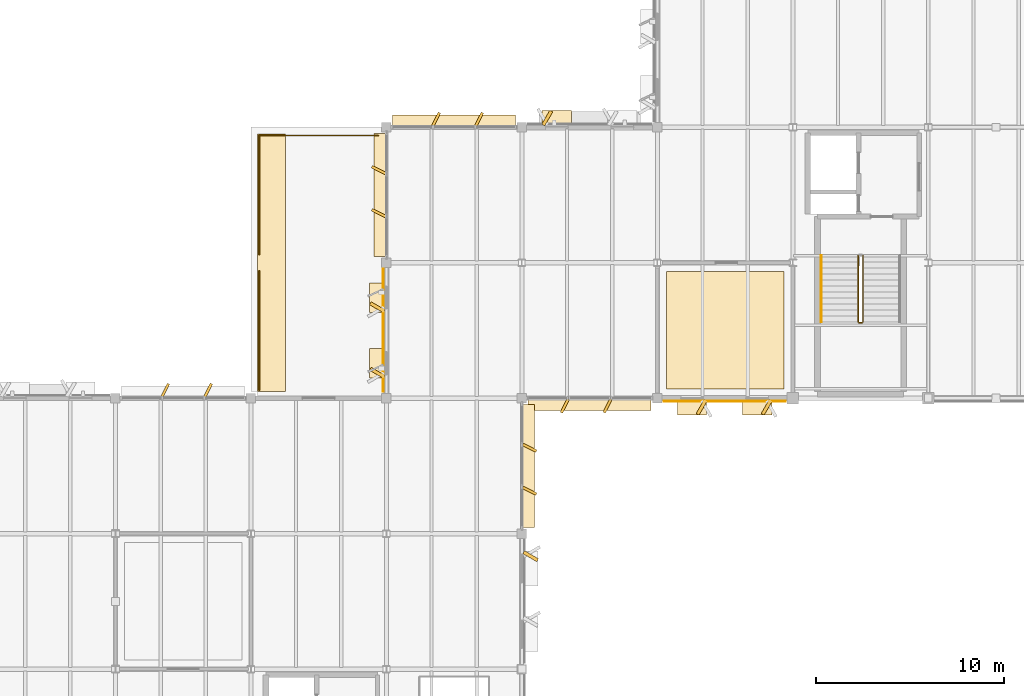
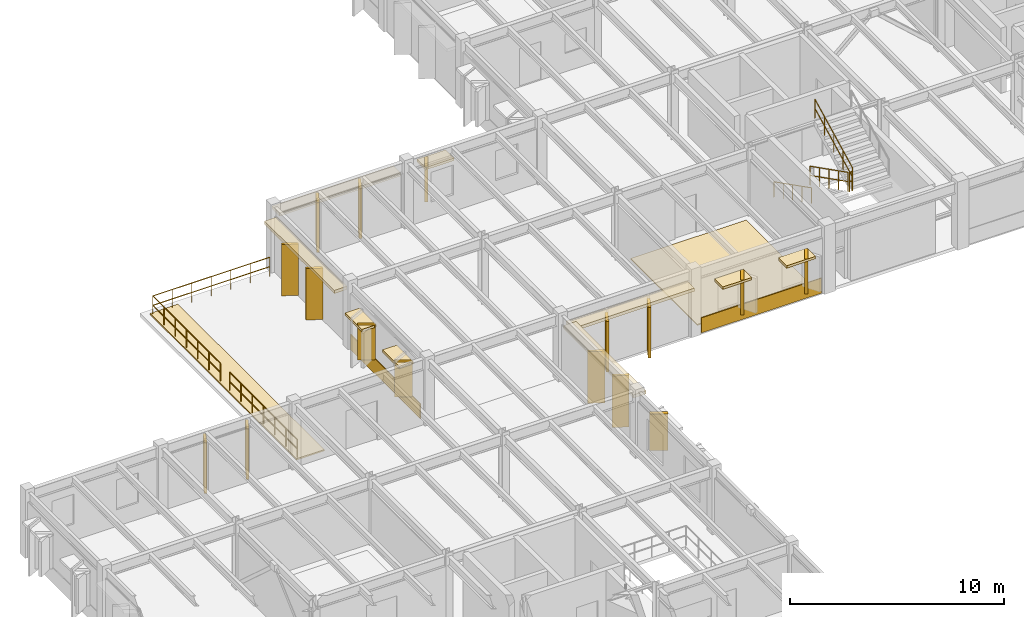
# One storey, part 77 of 82: 29 coverings, 7 railings.
"""IFC4 building model written with IfcOpenShell, lengths in metres."""

from ifc_helpers import new_model, si_unit, direction, frame, frame_2d, origin, origin_2d, place, context, subcontext, project, spatial, polyline, rectangle, circle, outline, extrude, material, layer, layer_set, type_object, element, save


model = new_model("IFC4")

# Units and contexts
model_context = context("Model", 3, precision=1e-05, world=origin(), true_north=direction((0.0, 1.0)))
body_context = subcontext(model_context, "Body", "Model", "MODEL_VIEW")
ifc_project = project(units=[si_unit("LENGTHUNIT", "METRE"), si_unit("AREAUNIT", "SQUARE_METRE"), si_unit("VOLUMEUNIT", "CUBIC_METRE"), si_unit("PLANEANGLEUNIT", "RADIAN"), si_unit("MASSUNIT", "GRAM", prefix="KILO")], contexts=[model_context])

# Site, building, storey
site_placement = place(None, origin())
site = spatial("IfcSite", under=ifc_project, at=site_placement, CompositionType="ELEMENT")
building_placement = place(site_placement, origin())
building = spatial("IfcBuilding", under=site, at=building_placement, Name="Sillqori Civic Hall", CompositionType="ELEMENT")
storey_placement = place(building_placement, frame((0.0, 0.0, 14.10009765625)))
storey = spatial("IfcBuildingStorey", under=building, at=storey_placement, Name="L04", CompositionType="ELEMENT", Elevation=14.10009765625)

# Coverings
ifc_material_1 = material(Name="Cochabamba Honed Limestone Cladding", Category="masonry")
ifc_layer_1 = layer(ifc_material_1, 0.044921875)
ifc_layer_set_1 = layer_set([ifc_layer_1], Name="Cochabamba Honed Limestone Cladding")
covering_type_1 = type_object("IfcCoveringType", Name="COV-CLAD-LIME", PredefinedType="CLADDING", material=ifc_layer_set_1)
for number, where, z_axis, x_axis, name in (
    (1, (16.861083984375, 79.25, 0.059814453125), (0.0, 0.0, 1.0), (0.44709226377, 0.894487846579, 0.0), "L04 curtain-wall angled stone fin L04-02-10-N.1"),
    (2, (19.138916015625, 79.25, 0.059814453125), (0.0, 0.0, 1.0), (0.447334902547, 0.894366527193, 0.0), "L04 curtain-wall angled stone fin L04-02-10-N.2"),
):
    element("IfcCovering", number, at=place(storey_placement, frame(where, z_axis=z_axis, x_axis=x_axis)), inside=storey, type_object=covering_type_1, Name=name, PredefinedType="CLADDING", context=body_context, shape_type="SweptSolid", body=[
        extrude(rectangle(XDim=0.804931640625, YDim=0.139892578125, at=frame_2d((0.40234375, 0.0))), origin(), (0.0, 0.0, 1.0), 2.878173828125),
    ])
covering_1_placement = place(storey_placement, frame((36.10009765625, 71.011962890625, 0.829833984375), z_axis=(0.0, 0.0, 1.0), x_axis=(0.865989465428, -0.500062241894, 0.0)))
element("IfcCovering", 3, at=covering_1_placement, inside=storey, type_object=covering_type_1, Name="Sawtooth limestone angled reveal cheek L04-04-09-E.1", PredefinedType="CLADDING", context=body_context, shape_type="SweptSolid", body=[
    extrude(rectangle(XDim=0.85009765625, YDim=0.179931640625, at=frame_2d((0.425048828125, 0.0))), origin(), (0.0, 0.0, 1.0), 2.10009765625),
])
covering_2_placement = place(storey_placement, frame((36.320068359375, 78.8701171875, 3.011962890625), z_axis=(0.0, 0.0, 1.0), x_axis=(0.0, -1.0, 0.0)))
element("IfcCovering", 4, at=covering_2_placement, inside=storey, type_object=covering_type_1, Name="L04 curtain-wall limestone solar hood L04-04-10-E", PredefinedType="CLADDING", context=body_context, shape_type="SweptSolid", body=[
    extrude(rectangle(XDim=6.5400390625, YDim=0.679931640625, at=frame_2d((3.27001953125, 0.0))), origin(), (0.0, 0.0, 1.0), 0.179931640625),
])
for number, where, z_axis, x_axis, name in (
    (5, (36.050048828125, 76.739013671875, 0.059814453125), (0.0, 0.0, 1.0), (0.894366527193, -0.447334902547, 0.0), "L04 curtain-wall angled stone fin L04-04-10-E.1"),
    (6, (36.050048828125, 74.4609375, 0.059814453125), (0.0, 0.0, 1.0), (0.894487846579, -0.44709226377, 0.0), "L04 curtain-wall angled stone fin L04-04-10-E.2"),
):
    element("IfcCovering", number, at=place(storey_placement, frame(where, z_axis=z_axis, x_axis=x_axis)), inside=storey, type_object=covering_type_1, Name=name, PredefinedType="CLADDING", context=body_context, shape_type="SweptSolid", body=[
        extrude(rectangle(XDim=0.804931640625, YDim=0.139892578125, at=frame_2d((0.40234375, 0.0))), origin(), (0.0, 0.0, 1.0), 2.9521484375),
    ])
covering_3_placement = place(storey_placement, frame((28.639892578125, 79.530029296875, 0.039794921875), z_axis=(0.0, 0.0, 1.0), x_axis=(0.0, 1.0, 0.0)))
element("IfcCovering", 7, at=covering_3_placement, inside=storey, type_object=covering_type_1, Name="L04 limestone spandrel cladding L04-04-11-W", PredefinedType="CLADDING", context=body_context, shape_type="SweptSolid", body=[
    extrude(rectangle(XDim=6.5400390625, YDim=0.044921875, at=frame_2d((3.27001953125, 0.0))), origin(), (0.0, 0.0, 1.0), 0.860107421875),
])
covering_4_placement = place(storey_placement, frame((28.679931640625, 80.337890625, 0.829833984375), z_axis=(0.0, 0.0, 1.0), x_axis=(-0.865989465428, 0.500062241894, 0.0)))
element("IfcCovering", 8, at=covering_4_placement, inside=storey, type_object=covering_type_1, Name="Sawtooth limestone angled reveal cheek L04-04-11-W.1", PredefinedType="CLADDING", context=body_context, shape_type="SweptSolid", body=[
    extrude(rectangle(XDim=0.85009765625, YDim=0.179931640625, at=frame_2d((0.425048828125, 0.0))), origin(), (0.0, 0.0, 1.0), 2.0),
])
covering_5_placement = place(storey_placement, frame((28.300048828125, 80.278076171875, 2.68994140625), z_axis=(0.0, 0.0, 1.0), x_axis=(0.0, 1.0, 0.0)))
element("IfcCovering", 9, at=covering_5_placement, inside=storey, type_object=covering_type_1, Name="Sawtooth limestone window hood L04-04-11-W.1", PredefinedType="CLADDING", context=body_context, shape_type="SweptSolid", body=[
    extrude(rectangle(XDim=1.559814453125, YDim=0.780029296875, at=frame_2d((0.77978515625, 0.0))), origin(), (0.0, 0.0, 1.0), 0.139892578125),
])
covering_6_placement = place(storey_placement, frame((28.679931640625, 83.822021484375, 0.829833984375), z_axis=(0.0, 0.0, 1.0), x_axis=(-0.865989465428, 0.500062241894, 0.0)))
element("IfcCovering", 10, at=covering_6_placement, inside=storey, type_object=covering_type_1, Name="Sawtooth limestone angled reveal cheek L04-04-11-W.2", PredefinedType="CLADDING", context=body_context, shape_type="SweptSolid", body=[
    extrude(rectangle(XDim=0.85009765625, YDim=0.179931640625, at=frame_2d((0.425048828125, 0.0))), origin(), (0.0, 0.0, 1.0), 2.0),
])
covering_7_placement = place(storey_placement, frame((28.300048828125, 83.761962890625, 2.68994140625), z_axis=(0.0, 0.0, 1.0), x_axis=(0.0, 1.0, 0.0)))
element("IfcCovering", 11, at=covering_7_placement, inside=storey, type_object=covering_type_1, Name="Sawtooth limestone window hood L04-04-11-W.2", PredefinedType="CLADDING", context=body_context, shape_type="SweptSolid", body=[
    extrude(rectangle(XDim=1.56005859375, YDim=0.780029296875, at=frame_2d((0.780029296875, 0.0))), origin(), (0.0, 0.0, 1.0), 0.139892578125),
])
covering_8_placement = place(storey_placement, frame((29.1298828125, 93.919921875, 2.91796875), z_axis=(0.0, 0.0, 1.0), x_axis=(1.0, 0.0, 0.0)))
element("IfcCovering", 12, at=covering_8_placement, inside=storey, type_object=covering_type_1, Name="L04 curtain-wall limestone solar hood L04-04-12-N", PredefinedType="CLADDING", context=body_context, shape_type="SweptSolid", body=[
    extrude(rectangle(XDim=6.5400390625, YDim=0.679931640625, at=frame_2d((3.27001953125, 0.0))), origin(), (0.0, 0.0, 1.0), 0.179931640625),
])
for number, where, z_axis, x_axis, name in (
    (13, (31.260986328125, 93.64990234375, 0.059814453125), (0.0, 0.0, 1.0), (0.4472135955, 0.894427191, 0.0), "L04 curtain-wall angled stone fin L04-04-12-N.1"),
    (14, (33.5390625, 93.64990234375, 0.059814453125), (0.0, 0.0, 1.0), (0.44697098964, 0.894548452807, 0.0), "L04 curtain-wall angled stone fin L04-04-12-N.2"),
):
    element("IfcCovering", number, at=place(storey_placement, frame(where, z_axis=z_axis, x_axis=x_axis)), inside=storey, type_object=covering_type_1, Name=name, PredefinedType="CLADDING", context=body_context, shape_type="SweptSolid", body=[
        extrude(rectangle(XDim=0.80517578125, YDim=0.139892578125, at=frame_2d((0.402587890625, 0.0))), origin(), (0.0, 0.0, 1.0), 2.858154296875),
    ])
covering_9_placement = place(storey_placement, frame((28.47998046875, 86.72998046875, 2.991943359375), z_axis=(0.0, 0.0, 1.0), x_axis=(0.0, 1.0, 0.0)))
element("IfcCovering", 15, at=covering_9_placement, inside=storey, type_object=covering_type_1, Name="L04 curtain-wall limestone solar hood L04-04-12-W", PredefinedType="CLADDING", context=body_context, shape_type="SweptSolid", body=[
    extrude(rectangle(XDim=6.5400390625, YDim=0.679931640625, at=frame_2d((3.27001953125, 0.0))), origin(), (0.0, 0.0, 1.0), 0.179931640625),
])
for number, where, z_axis, x_axis, name in (
    (16, (28.75, 88.861083984375, 0.059814453125), (0.0, 0.0, 1.0), (-0.894487846579, 0.44709226377, 0.0), "L04 curtain-wall angled stone fin L04-04-12-W.1"),
    (17, (28.75, 91.138916015625, 0.059814453125), (0.0, 0.0, 1.0), (-0.894366527193, 0.447334902547, 0.0), "L04 curtain-wall angled stone fin L04-04-12-W.2"),
):
    element("IfcCovering", number, at=place(storey_placement, frame(where, z_axis=z_axis, x_axis=x_axis)), inside=storey, type_object=covering_type_1, Name=name, PredefinedType="CLADDING", context=body_context, shape_type="SweptSolid", body=[
        extrude(rectangle(XDim=0.804931640625, YDim=0.139892578125, at=frame_2d((0.40234375, 0.0))), origin(), (0.0, 0.0, 1.0), 2.93212890625),
    ])
covering_10_placement = place(storey_placement, frame((42.8701171875, 78.8798828125, 2.93798828125), z_axis=(0.0, 0.0, 1.0), x_axis=(-1.0, 0.0, 0.0)))
element("IfcCovering", 18, at=covering_10_placement, inside=storey, type_object=covering_type_1, Name="L04 curtain-wall limestone solar hood L04-05-11-S", PredefinedType="CLADDING", context=body_context, shape_type="SweptSolid", body=[
    extrude(rectangle(XDim=6.5400390625, YDim=0.679931640625, at=frame_2d((3.27001953125, 0.0))), origin(), (0.0, 0.0, 1.0), 0.179931640625),
])
for number, where, z_axis, x_axis, name in (
    (19, (40.739013671875, 79.14990234375, 0.059814453125), (0.0, 0.0, 1.0), (-0.447334902547, -0.894366527193, 0.0), "L04 curtain-wall angled stone fin L04-05-11-S.1"),
    (20, (38.4609375, 79.14990234375, 0.059814453125), (0.0, 0.0, 1.0), (-0.44709226377, -0.894487846579, 0.0), "L04 curtain-wall angled stone fin L04-05-11-S.2"),
):
    element("IfcCovering", number, at=place(storey_placement, frame(where, z_axis=z_axis, x_axis=x_axis)), inside=storey, type_object=covering_type_1, Name=name, PredefinedType="CLADDING", context=body_context, shape_type="SweptSolid", body=[
        extrude(rectangle(XDim=0.804931640625, YDim=0.139892578125, at=frame_2d((0.40234375, 0.0))), origin(), (0.0, 0.0, 1.0), 2.878173828125),
    ])
covering_11_placement = place(storey_placement, frame((37.137939453125, 93.719970703125, 0.829833984375), z_axis=(0.0, 0.0, 1.0), x_axis=(0.500062241894, 0.865989465428, 0.0)))
element("IfcCovering", 21, at=covering_11_placement, inside=storey, type_object=covering_type_1, Name="Sawtooth limestone angled reveal cheek L04-05-12-N.1", PredefinedType="CLADDING", context=body_context, shape_type="SweptSolid", body=[
    extrude(rectangle(XDim=0.85009765625, YDim=0.179931640625, at=frame_2d((0.425048828125, 0.0))), origin(), (0.0, 0.0, 1.0), 2.0),
])
covering_12_placement = place(storey_placement, frame((37.077880859375, 94.10009765625, 2.68994140625), z_axis=(0.0, 0.0, 1.0), x_axis=(1.0, 0.0, 0.0)))
element("IfcCovering", 22, at=covering_12_placement, inside=storey, type_object=covering_type_1, Name="Sawtooth limestone window hood L04-05-12-N.1", PredefinedType="CLADDING", context=body_context, shape_type="SweptSolid", body=[
    extrude(rectangle(XDim=1.56005859375, YDim=0.780029296875, at=frame_2d((0.780029296875, 0.0))), origin(), (0.0, 0.0, 1.0), 0.139892578125),
])
covering_13_placement = place(storey_placement, frame((50.02001953125, 79.0400390625, 0.039794921875), z_axis=(0.0, 0.0, 1.0), x_axis=(-1.0, 0.0, 0.0)))
element("IfcCovering", 23, at=covering_13_placement, inside=storey, type_object=covering_type_1, Name="L04 limestone spandrel cladding L04-06-11-S", PredefinedType="CLADDING", context=body_context, shape_type="SweptSolid", body=[
    extrude(rectangle(XDim=6.489990234375, YDim=0.044921875, at=frame_2d((3.2451171875, 0.0))), origin(), (0.0, 0.0, 1.0), 0.860107421875),
])
covering_14_placement = place(storey_placement, frame((49.22412109375, 79.080078125, 0.829833984375), z_axis=(0.0, 0.0, 1.0), x_axis=(-0.500062241894, -0.865989465428, 0.0)))
element("IfcCovering", 24, at=covering_14_placement, inside=storey, type_object=covering_type_1, Name="Sawtooth limestone angled reveal cheek L04-06-11-S.1", PredefinedType="CLADDING", context=body_context, shape_type="SweptSolid", body=[
    extrude(rectangle(XDim=0.85009765625, YDim=0.179931640625, at=frame_2d((0.425048828125, 0.0))), origin(), (0.0, 0.0, 1.0), 2.0),
])
covering_15_placement = place(storey_placement, frame((49.283935546875, 78.699951171875, 2.68994140625), z_axis=(0.0, 0.0, 1.0), x_axis=(-1.0, 0.0, 0.0)))
element("IfcCovering", 25, at=covering_15_placement, inside=storey, type_object=covering_type_1, Name="Sawtooth limestone window hood L04-06-11-S.1", PredefinedType="CLADDING", context=body_context, shape_type="SweptSolid", body=[
    extrude(rectangle(XDim=1.559814453125, YDim=0.780029296875, at=frame_2d((0.77978515625, 0.0))), origin(), (0.0, 0.0, 1.0), 0.139892578125),
])
covering_16_placement = place(storey_placement, frame((45.76611328125, 79.080078125, 0.829833984375), z_axis=(0.0, 0.0, 1.0), x_axis=(-0.500062241894, -0.865989465428, 0.0)))
element("IfcCovering", 26, at=covering_16_placement, inside=storey, type_object=covering_type_1, Name="Sawtooth limestone angled reveal cheek L04-06-11-S.2", PredefinedType="CLADDING", context=body_context, shape_type="SweptSolid", body=[
    extrude(rectangle(XDim=0.85009765625, YDim=0.179931640625, at=frame_2d((0.425048828125, 0.0))), origin(), (0.0, 0.0, 1.0), 2.0),
])
covering_17_placement = place(storey_placement, frame((45.825927734375, 78.699951171875, 2.68994140625), z_axis=(0.0, 0.0, 1.0), x_axis=(-1.0, 0.0, 0.0)))
element("IfcCovering", 27, at=covering_17_placement, inside=storey, type_object=covering_type_1, Name="Sawtooth limestone window hood L04-06-11-S.2", PredefinedType="CLADDING", context=body_context, shape_type="SweptSolid", body=[
    extrude(rectangle(XDim=1.559814453125, YDim=0.780029296875, at=frame_2d((0.77978515625, 0.0))), origin(), (0.0, 0.0, 1.0), 0.139892578125),
])
ifc_material_2 = material(Name="Raised Access Technical Floor Panel 62", Category="stone")
ifc_layer_2 = layer(ifc_material_2, 0.06201171875)
ifc_layer_set_2 = layer_set([ifc_layer_2], Name="Raised Access Technical Floor Panel 62")
covering_type_2 = type_object("IfcCoveringType", Name="COV-FLR-S62", PredefinedType="FLOORING", material=ifc_layer_set_2)
covering_18_placement = place(storey_placement, origin())
element("IfcCovering", 28, at=covering_18_placement, inside=storey, type_object=covering_type_2, Name="Municipal Treasury and Finance Directorate floor finish", PredefinedType="FLOORING", context=body_context, shape_type="SweptSolid", body=[
    extrude(outline(polyline([(43.679931640625, 79.679931640625), (49.919921875, 79.679931640625), (49.919921875, 85.919921875), (43.679931640625, 85.919921875), (43.679931640625, 79.679931640625)])), origin(), (0.0, 0.0, 1.0), 0.06201171875),
])
ifc_material_3 = material(Name="Extensive Andean Sedum Roof Substrate", Category="earth")
ifc_layer_3 = layer(ifc_material_3, 0.080078125)
ifc_layer_set_3 = layer_set([ifc_layer_3], Name="Extensive Andean Sedum Roof Substrate")
covering_type_3 = type_object("IfcCoveringType", Name="COV-ROOF-GRN", PredefinedType="ROOFING", material=ifc_layer_set_3)
covering_19_placement = place(storey_placement, origin())
element("IfcCovering", 29, at=covering_19_placement, inside=storey, type_object=covering_type_3, Name="Urban Design West Setback Terrace planted planter bed", PredefinedType="ROOFING", context=body_context, shape_type="SweptSolid", body=[
    extrude(outline(polyline([(21.949951171875, 79.550048828125), (23.449951171875, 79.550048828125), (23.449951171875, 93.25), (21.949951171875, 93.25), (21.949951171875, 79.550048828125)])), origin(), (0.0, 0.0, 1.0), 0.079833984375),
])

# Railings
ifc_material_4 = material(Name="Brushed Stainless Steel 316 Handrail", Category="steel")
ifc_layer_4 = layer(ifc_material_4, 0.044921875)
ifc_layer_set_4 = layer_set([ifc_layer_4], Name="Brushed Stainless Steel 316 Handrail")
railing_type_1 = type_object("IfcRailingType", Name="RLG-CORE-092", PredefinedType="HANDRAIL", material=ifc_layer_set_4)
railing_1_placement = place(storey_placement, frame((51.909912109375, 86.77001953125, 0.162353515625)))
element("IfcRailing", 30, at=railing_1_placement, inside=storey, type_object=railing_type_1, Name="L04 ST-05 stair handrail 1", PredefinedType="HANDRAIL", context=body_context, shape_type="SweptSolid", body=[
    extrude(circle(Radius=0.02392578125, at=origin_2d()), frame((0.0, 0.0, 0.8759765625), z_axis=(0.0, -0.891614535321, 0.452795230103), x_axis=(1.0, 0.0, 0.0)), (0.0, 0.0, 1.0), 3.947998046875),
    extrude(circle(Radius=0.02099609375, at=origin_2d()), origin(), (0.0, 0.0, 1.0), 0.851806640625),
    extrude(circle(Radius=0.02099609375, at=origin_2d()), frame((0.0, -0.8798828125, 0.44677734375)), (0.0, 0.0, 1.0), 0.851806640625),
    extrude(circle(Radius=0.02099609375, at=origin_2d()), frame((0.0, -1.760009765625, 0.893798828125)), (0.0, 0.0, 1.0), 0.851806640625),
    extrude(circle(Radius=0.02099609375, at=origin_2d()), frame((0.0, -2.64013671875, 1.3408203125)), (0.0, 0.0, 1.0), 0.851806640625),
    extrude(circle(Radius=0.02099609375, at=origin_2d()), frame((0.0, -3.52001953125, 1.78759765625)), (0.0, 0.0, 1.0), 0.851806640625),
])
ifc_material_5 = material(Name="Galvanized Painted Steel Guardrail", Category="steel")
ifc_layer_5 = layer(ifc_material_5, 0.050048828125)
ifc_layer_set_5 = layer_set([ifc_layer_5], Name="Galvanized Painted Steel Guardrail")
railing_type_2 = type_object("IfcRailingType", Name="RLG-CORE-110", PredefinedType="GUARDRAIL", material=ifc_layer_set_5)
railing_2_placement = place(storey_placement, frame((53.8701171875, 86.77001953125, 0.162353515625)))
element("IfcRailing", 31, at=railing_2_placement, inside=storey, type_object=railing_type_2, Name="L04 ST-05 stair guard 1", PredefinedType="GUARDRAIL", context=body_context, shape_type="SweptSolid", body=[
    extrude(circle(Radius=0.02392578125, at=origin_2d()), frame((0.0, 0.0, 1.076171875), z_axis=(0.0, -0.891614535321, 0.452795230103), x_axis=(1.0, 0.0, 0.0)), (0.0, 0.0, 1.0), 3.947998046875),
    extrude(circle(Radius=0.02392578125, at=origin_2d()), frame((0.0, 0.0, 0.550048828125), z_axis=(0.0, -0.891614535321, 0.452795230103), x_axis=(1.0, 0.0, 0.0)), (0.0, 0.0, 1.0), 3.947998046875),
    extrude(circle(Radius=0.02099609375, at=origin_2d()), origin(), (0.0, 0.0, 1.0), 1.052001953125),
    extrude(circle(Radius=0.02099609375, at=origin_2d()), frame((0.0, -0.8798828125, 0.44677734375)), (0.0, 0.0, 1.0), 1.052001953125),
    extrude(circle(Radius=0.02099609375, at=origin_2d()), frame((0.0, -1.760009765625, 0.893798828125)), (0.0, 0.0, 1.0), 1.052001953125),
    extrude(circle(Radius=0.02099609375, at=origin_2d()), frame((0.0, -2.64013671875, 1.3408203125)), (0.0, 0.0, 1.0), 1.052001953125),
    extrude(circle(Radius=0.02099609375, at=origin_2d()), frame((0.0, -3.52001953125, 1.78759765625)), (0.0, 0.0, 1.0), 1.052001953125),
])
railing_3_placement = place(storey_placement, frame((53.919921875, 83.199951171875, 1.949951171875)))
element("IfcRailing", 32, at=railing_3_placement, inside=storey, type_object=railing_type_2, Name="L04 ST-05 stair guard 2", PredefinedType="GUARDRAIL", context=body_context, shape_type="SweptSolid", body=[
    extrude(circle(Radius=0.02392578125, at=origin_2d()), frame((0.0, 0.0, 1.076171875), z_axis=(1.0, 0.0, 0.0), x_axis=(0.0, 1.0, 0.0)), (0.0, 0.0, 1.0), 0.16015625),
    extrude(circle(Radius=0.02392578125, at=origin_2d()), frame((0.0, 0.0, 0.550048828125), z_axis=(1.0, 0.0, 0.0), x_axis=(0.0, 1.0, 0.0)), (0.0, 0.0, 1.0), 0.16015625),
    extrude(circle(Radius=0.02099609375, at=origin_2d()), origin(), (0.0, 0.0, 1.0), 1.052001953125),
    extrude(circle(Radius=0.02099609375, at=origin_2d()), frame((0.16015625, 0.0, 0.0)), (0.0, 0.0, 1.0), 1.052001953125),
])
railing_4_placement = place(storey_placement, frame((54.1298828125, 83.25, 2.1123046875)))
element("IfcRailing", 33, at=railing_4_placement, inside=storey, type_object=railing_type_2, Name="L04 ST-05 stair guard 3", PredefinedType="GUARDRAIL", context=body_context, shape_type="SweptSolid", body=[
    extrude(circle(Radius=0.02392578125, at=origin_2d()), frame((0.0, 0.0, 1.076171875), z_axis=(0.0, 0.891614535321, 0.452795230103), x_axis=(-1.0, 0.0, 0.0)), (0.0, 0.0, 1.0), 3.947998046875),
    extrude(circle(Radius=0.02392578125, at=origin_2d()), frame((0.0, 0.0, 0.550048828125), z_axis=(0.0, 0.891614535321, 0.452795230103), x_axis=(-1.0, 0.0, 0.0)), (0.0, 0.0, 1.0), 3.947998046875),
    extrude(circle(Radius=0.02099609375, at=origin_2d()), origin(), (0.0, 0.0, 1.0), 1.052001953125),
    extrude(circle(Radius=0.02099609375, at=origin_2d()), frame((0.0, 0.8798828125, 0.44677734375)), (0.0, 0.0, 1.0), 1.052001953125),
    extrude(circle(Radius=0.02099609375, at=origin_2d()), frame((0.0, 1.760009765625, 0.893798828125)), (0.0, 0.0, 1.0), 1.052001953125),
    extrude(circle(Radius=0.02099609375, at=origin_2d()), frame((0.0, 2.64013671875, 1.3408203125)), (0.0, 0.0, 1.0), 1.052001953125),
    extrude(circle(Radius=0.02099609375, at=origin_2d()), frame((0.0, 3.52001953125, 1.78759765625)), (0.0, 0.0, 1.0), 1.052001953125),
])
ifc_material_6 = material(Name="Stainless Steel 316 and Laminated Balustrade", Category="steel")
ifc_layer_6 = layer(ifc_material_6, 0.06005859375)
ifc_layer_set_6 = layer_set([ifc_layer_6], Name="Stainless Steel 316 and Laminated Balustrade")
railing_type_3 = type_object("IfcRailingType", Name="RLG-TERR-112", PredefinedType="GUARDRAIL", material=ifc_layer_set_6)
railing_5_placement = place(storey_placement, frame((22.0400390625, 93.159912109375, 0.0)))
element("IfcRailing", 34, at=railing_5_placement, inside=storey, type_object=railing_type_3, Name="Urban Design West Setback Terrace perimeter guard N-01", PredefinedType="GUARDRAIL", context=body_context, shape_type="SweptSolid", body=[
    extrude(circle(Radius=0.02392578125, at=origin_2d()), frame((0.0, 0.0, 1.09619140625), z_axis=(1.0, 0.0, 0.0), x_axis=(0.0, 1.0, 0.0)), (0.0, 0.0, 1.0), 6.320068359375),
    extrude(circle(Radius=0.02392578125, at=origin_2d()), frame((0.0, 0.0, 0.56005859375), z_axis=(1.0, 0.0, 0.0), x_axis=(0.0, 1.0, 0.0)), (0.0, 0.0, 1.0), 6.320068359375),
    extrude(circle(Radius=0.02099609375, at=origin_2d()), origin(), (0.0, 0.0, 1.0), 1.072021484375),
    extrude(circle(Radius=0.02099609375, at=origin_2d()), frame((1.05322265625, 0.0, 0.0)), (0.0, 0.0, 1.0), 1.072021484375),
    extrude(circle(Radius=0.02099609375, at=origin_2d()), frame((2.106689453125, 0.0, 0.0)), (0.0, 0.0, 1.0), 1.072021484375),
    extrude(circle(Radius=0.02099609375, at=origin_2d()), frame((3.16015625, 0.0, 0.0)), (0.0, 0.0, 1.0), 1.072021484375),
    extrude(circle(Radius=0.02099609375, at=origin_2d()), frame((4.21337890625, 0.0, 0.0)), (0.0, 0.0, 1.0), 1.072021484375),
    extrude(circle(Radius=0.02099609375, at=origin_2d()), frame((5.2666015625, 0.0, 0.0)), (0.0, 0.0, 1.0), 1.072021484375),
    extrude(circle(Radius=0.02099609375, at=origin_2d()), frame((6.320068359375, 0.0, 0.0)), (0.0, 0.0, 1.0), 1.072021484375),
])
railing_6_placement = place(storey_placement, frame((22.0400390625, 79.639892578125, 0.0)))
element("IfcRailing", 35, at=railing_6_placement, inside=storey, type_object=railing_type_3, Name="Urban Design West Setback Terrace perimeter guard W-02", PredefinedType="GUARDRAIL", context=body_context, shape_type="SweptSolid", body=[
    extrude(circle(Radius=0.02392578125, at=origin_2d()), frame((0.0, 0.0, 1.09619140625), z_axis=(0.0, 1.0, 0.0), x_axis=(-1.0, 0.0, 0.0)), (0.0, 0.0, 1.0), 6.320068359375),
    extrude(circle(Radius=0.02392578125, at=origin_2d()), frame((0.0, 0.0, 0.56005859375), z_axis=(0.0, 1.0, 0.0), x_axis=(-1.0, 0.0, 0.0)), (0.0, 0.0, 1.0), 6.320068359375),
    extrude(circle(Radius=0.02099609375, at=origin_2d()), origin(), (0.0, 0.0, 1.0), 1.072021484375),
    extrude(circle(Radius=0.02099609375, at=origin_2d()), frame((0.0, 1.05322265625, 0.0)), (0.0, 0.0, 1.0), 1.072021484375),
    extrude(circle(Radius=0.02099609375, at=origin_2d()), frame((0.0, 2.106689453125, 0.0)), (0.0, 0.0, 1.0), 1.072021484375),
    extrude(circle(Radius=0.02099609375, at=origin_2d()), frame((0.0, 3.16015625, 0.0)), (0.0, 0.0, 1.0), 1.072021484375),
    extrude(circle(Radius=0.02099609375, at=origin_2d()), frame((0.0, 4.21337890625, 0.0)), (0.0, 0.0, 1.0), 1.072021484375),
    extrude(circle(Radius=0.02099609375, at=origin_2d()), frame((0.0, 5.2666015625, 0.0)), (0.0, 0.0, 1.0), 1.072021484375),
    extrude(circle(Radius=0.02099609375, at=origin_2d()), frame((0.0, 6.320068359375, 0.0)), (0.0, 0.0, 1.0), 1.072021484375),
])
railing_7_placement = place(storey_placement, frame((22.0400390625, 86.840087890625, 0.0)))
element("IfcRailing", 36, at=railing_7_placement, inside=storey, type_object=railing_type_3, Name="Urban Design West Setback Terrace perimeter guard W-03", PredefinedType="GUARDRAIL", context=body_context, shape_type="SweptSolid", body=[
    extrude(circle(Radius=0.02392578125, at=origin_2d()), frame((0.0, 0.0, 1.09619140625), z_axis=(0.0, 1.0, 0.0), x_axis=(-1.0, 0.0, 0.0)), (0.0, 0.0, 1.0), 6.31982421875),
    extrude(circle(Radius=0.02392578125, at=origin_2d()), frame((0.0, 0.0, 0.56005859375), z_axis=(0.0, 1.0, 0.0), x_axis=(-1.0, 0.0, 0.0)), (0.0, 0.0, 1.0), 6.31982421875),
    extrude(circle(Radius=0.02099609375, at=origin_2d()), origin(), (0.0, 0.0, 1.0), 1.072021484375),
    extrude(circle(Radius=0.02099609375, at=origin_2d()), frame((0.0, 1.05322265625, 0.0)), (0.0, 0.0, 1.0), 1.072021484375),
    extrude(circle(Radius=0.02099609375, at=origin_2d()), frame((0.0, 2.106689453125, 0.0)), (0.0, 0.0, 1.0), 1.072021484375),
    extrude(circle(Radius=0.02099609375, at=origin_2d()), frame((0.0, 3.159912109375, 0.0)), (0.0, 0.0, 1.0), 1.072021484375),
    extrude(circle(Radius=0.02099609375, at=origin_2d()), frame((0.0, 4.213134765625, 0.0)), (0.0, 0.0, 1.0), 1.072021484375),
    extrude(circle(Radius=0.02099609375, at=origin_2d()), frame((0.0, 5.2666015625, 0.0)), (0.0, 0.0, 1.0), 1.072021484375),
    extrude(circle(Radius=0.02099609375, at=origin_2d()), frame((0.0, 6.31982421875, 0.0)), (0.0, 0.0, 1.0), 1.072021484375),
])

save(model, "model.ifc")
